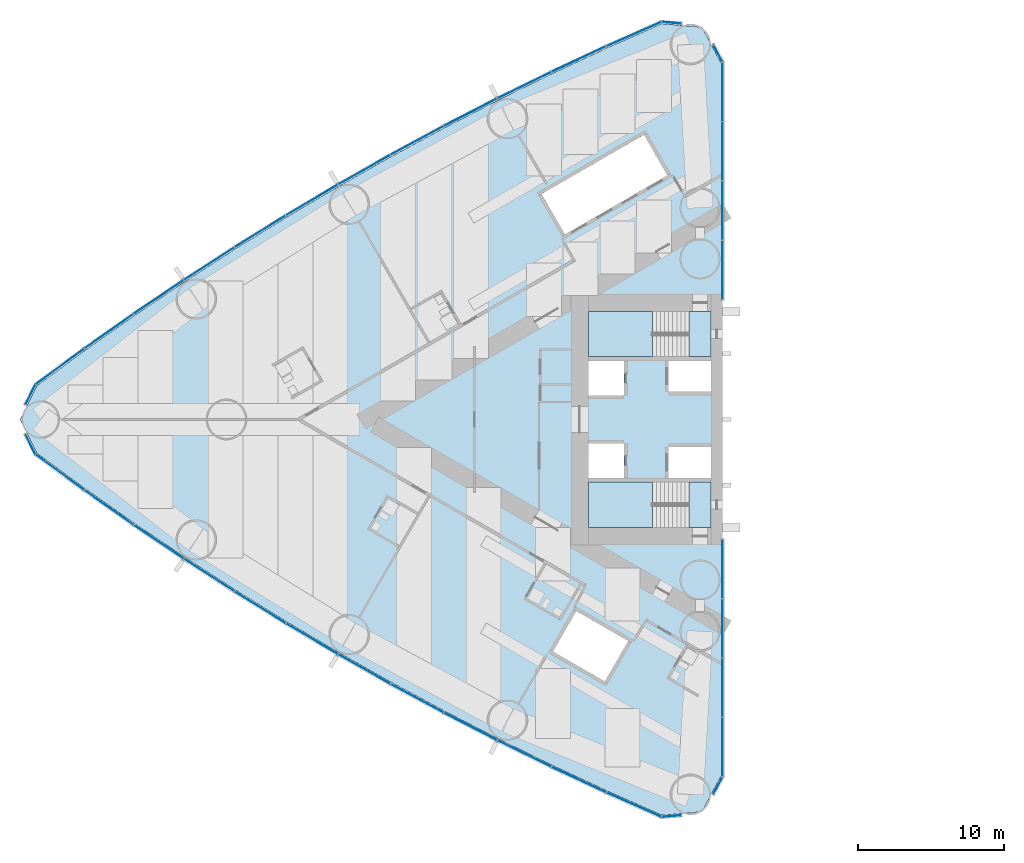
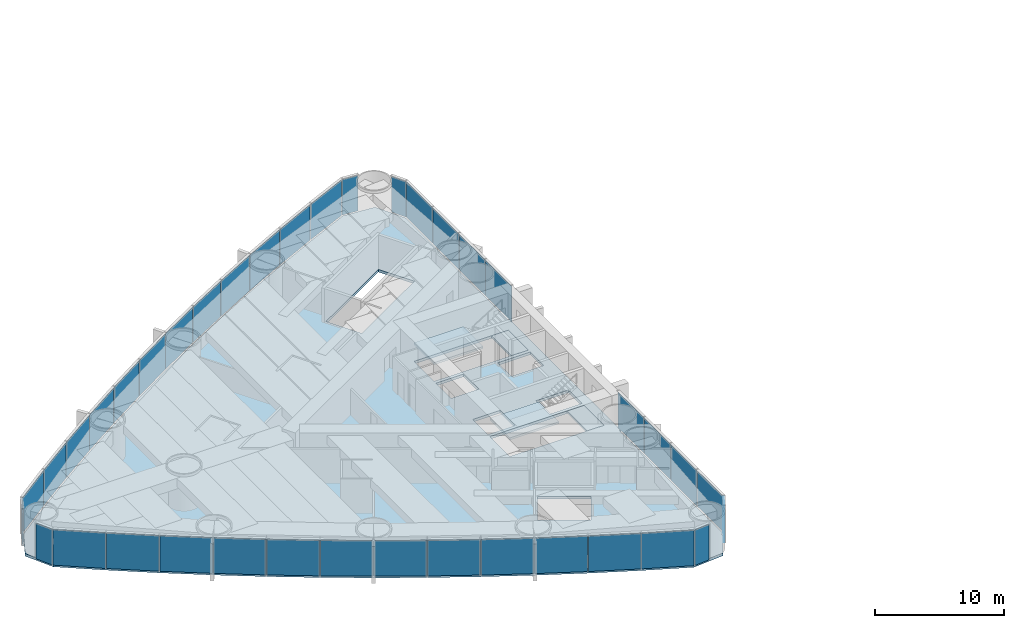
# One storey, part 9 of 19: 38 plates, 5 slabs, 6 elements without a shape of their own.
"""IFC4 building model written with IfcOpenShell, lengths in metres."""

from ifc_helpers import new_model, si_unit, direction, frame, origin, origin_2d, place, context, subcontext, project, spatial, polyline, rectangle, outline, extrude, material, layer, layer_set, type_object, element, aggregate, save


model = new_model("IFC4")

# Units and contexts
model_context = context("Model", 3, precision=1e-05, world=origin(), true_north=direction((0.0, 1.0)))
body_context = subcontext(model_context, "Body", "Model", "MODEL_VIEW")
ifc_project = project(units=[si_unit("LENGTHUNIT", "METRE"), si_unit("AREAUNIT", "SQUARE_METRE"), si_unit("VOLUMEUNIT", "CUBIC_METRE"), si_unit("PLANEANGLEUNIT", "RADIAN"), si_unit("MASSUNIT", "GRAM", prefix="KILO")], contexts=[model_context])

# Site, building, storey
site_placement = place(None, origin())
site = spatial("IfcSite", under=ifc_project, at=site_placement, CompositionType="ELEMENT")
building_placement = place(site_placement, origin())
building = spatial("IfcBuilding", under=site, at=building_placement, Name="Lancet Gate Hotel", CompositionType="ELEMENT")
storey_placement = place(building_placement, frame((0.0, 0.0, 60.0)))
storey = spatial("IfcBuildingStorey", under=building, at=storey_placement, Name="L15", CompositionType="ELEMENT", Elevation=60.0)

# Slab
ifc_material_1 = material(Name="Concrete C50/60", Category="concrete")
ifc_layer_1 = layer(ifc_material_1, 0.25)
ifc_layer_set_1 = layer_set([ifc_layer_1], Name="Floor slab 250")
slab_type_1 = type_object("IfcSlabType", Name="Floor slab 250", PredefinedType="FLOOR", material=ifc_layer_set_1)
slab_1_placement = place(storey_placement, frame((0.0, 0.0, -0.25)))
element("IfcSlab", 1, at=slab_1_placement, inside=storey, type_object=slab_type_1, Name="T1 L15 floor slab", PredefinedType="FLOOR", context=body_context, shape_type="SweptSolid", body=[
    extrude(outline(polyline([(-27.5, 8.60009765625), (-27.6201171875, 8.60009765625), (-27.6201171875, 24.4609375), (-28.926513671875, 26.8837890625), (-31.668212890625, 27.12353515625), (-35.424072265625, 25.458740234375), (-39.173583984375, 23.70849609375), (-42.887939453125, 21.884765625), (-46.56591796875, 19.98876953125), (-50.2060546875, 18.02099609375), (-53.806884765625, 15.982421875), (-57.366943359375, 13.87353515625), (-60.88525390625, 11.695068359375), (-64.360107421875, 9.448486328125), (-67.7900390625, 7.134033203125), (-71.17431640625, 4.752685546875), (-74.488525390625, 2.322021484375), (-75.65087890625, 0.0), (-74.488525390625, -2.322021484375), (-71.17431640625, -4.752685546875), (-67.7900390625, -7.134033203125), (-64.360107421875, -9.448486328125), (-60.88525390625, -11.695068359375), (-57.366943359375, -13.87353515625), (-53.806884765625, -15.982421875), (-50.2060546875, -18.02099609375), (-46.56591796875, -19.98876953125), (-42.887939453125, -21.884765625), (-39.173583984375, -23.70849609375), (-35.424072265625, -25.458740234375), (-31.668212890625, -27.12353515625), (-28.926513671875, -26.8837890625), (-27.6201171875, -24.4609375), (-27.6201171875, -8.60009765625), (-27.5, -8.60009765625), (-27.5, -8.199951171875), (-27.5, 8.199951171875), (-27.5, 8.60009765625)]), holes=[polyline([(-36.699951171875, 7.39990234375), (-36.699951171875, 4.300048828125), (-28.300048828125, 4.300048828125), (-28.300048828125, 7.39990234375), (-36.699951171875, 7.39990234375)]), polyline([(-28.300048828125, 4.0), (-31.199951171875, 4.0), (-31.199951171875, 1.89990234375), (-28.300048828125, 1.89990234375), (-28.300048828125, 4.0)]), polyline([(-34.25, 4.0), (-36.699951171875, 4.0), (-36.699951171875, 1.64990234375), (-34.25, 1.64990234375), (-34.25, 4.0)]), polyline([(-36.699951171875, -1.64990234375), (-36.699951171875, -4.0), (-34.25, -4.0), (-34.25, -1.64990234375), (-36.699951171875, -1.64990234375)]), polyline([(-28.300048828125, -1.89990234375), (-31.199951171875, -1.89990234375), (-31.199951171875, -4.0), (-28.300048828125, -4.0), (-28.300048828125, -1.89990234375)]), polyline([(-28.300048828125, -4.300048828125), (-36.699951171875, -4.300048828125), (-36.699951171875, -7.39990234375), (-28.300048828125, -7.39990234375), (-28.300048828125, -4.300048828125)]), polyline([(-31.2900390625, 16.73095703125), (-32.889892578125, 19.501953125), (-39.904052734375, 15.451904296875), (-38.303955078125, 12.680908203125), (-31.2900390625, 16.73095703125)]), polyline([(-33.97412109375, -15.180908203125), (-37.52490234375, -13.131103515625), (-39.125, -15.902099609375), (-35.573974609375, -17.951904296875), (-33.97412109375, -15.180908203125)])]), origin(), (0.0, 0.0, 1.0), 0.25),
])

# Stair, slabs
ifc_material_2 = material(Name="Exit stair 20 risers 1500")
stair_type = type_object("IfcStairType", Name="Exit stair 20 risers 1500", PredefinedType="HALF_TURN_STAIR", material=ifc_material_2)
stair_1_placement = place(storey_placement, origin())
stair_1 = element("IfcStair", 2, at=stair_1_placement, inside=storey, type_object=stair_type, Name="T1 stair 1 L15", PredefinedType="HALF_TURN_STAIR")
ifc_material_3 = material(Name="Concrete C40/50", Category="concrete")
ifc_layer_2 = layer(ifc_material_3, 0.199951171875)
ifc_layer_set_2 = layer_set([ifc_layer_2], Name="Stair landing 200")
slab_type_2 = type_object("IfcSlabType", Name="Stair landing 200", PredefinedType="LANDING", material=ifc_layer_set_2)
slab_2_placement = place(storey_placement, frame((0.0, 0.0, -0.199951171875)))
slab_2 = element("IfcSlab", 3, at=slab_2_placement, type_object=slab_type_2, Name="ST1 landing 1", PredefinedType="LANDING", context=body_context, shape_type="SweptSolid", body=[
    extrude(outline(polyline([(-28.300048828125, 7.39990234375), (-29.800048828125, 7.39990234375), (-29.800048828125, 4.300048828125), (-28.300048828125, 4.300048828125), (-28.300048828125, 7.39990234375)])), origin(), (0.0, 0.0, 1.0), 0.199951171875),
])
slab_3_placement = place(storey_placement, frame((0.0, 0.0, 1.550048828125)))
slab_3 = element("IfcSlab", 4, at=slab_3_placement, type_object=slab_type_2, Name="ST1 landing 2", PredefinedType="LANDING", context=body_context, shape_type="SweptSolid", body=[
    extrude(outline(polyline([(-32.320068359375, 7.39990234375), (-36.699951171875, 7.39990234375), (-36.699951171875, 4.300048828125), (-32.320068359375, 4.300048828125), (-32.320068359375, 7.39990234375)])), origin(), (0.0, 0.0, 1.0), 0.199951171875),
])
aggregate(stair_1, [slab_2, slab_3])

stair_2_placement = place(storey_placement, origin())
stair_2 = element("IfcStair", 5, at=stair_2_placement, inside=storey, type_object=stair_type, Name="T1 stair 2 L15", PredefinedType="HALF_TURN_STAIR")
slab_4_placement = place(storey_placement, frame((0.0, 0.0, -0.199951171875)))
slab_4 = element("IfcSlab", 6, at=slab_4_placement, type_object=slab_type_2, Name="ST2 landing 1", PredefinedType="LANDING", context=body_context, shape_type="SweptSolid", body=[
    extrude(outline(polyline([(-28.300048828125, -4.300048828125), (-29.800048828125, -4.300048828125), (-29.800048828125, -7.39990234375), (-28.300048828125, -7.39990234375), (-28.300048828125, -4.300048828125)])), origin(), (0.0, 0.0, 1.0), 0.199951171875),
])
slab_5_placement = place(storey_placement, frame((0.0, 0.0, 1.550048828125)))
slab_5 = element("IfcSlab", 7, at=slab_5_placement, type_object=slab_type_2, Name="ST2 landing 2", PredefinedType="LANDING", context=body_context, shape_type="SweptSolid", body=[
    extrude(outline(polyline([(-32.320068359375, -4.300048828125), (-36.699951171875, -4.300048828125), (-36.699951171875, -7.39990234375), (-32.320068359375, -7.39990234375), (-32.320068359375, -4.300048828125)])), origin(), (0.0, 0.0, 1.0), 0.199951171875),
])
aggregate(stair_2, [slab_4, slab_5])

# Curtain wall, plates
ifc_material_4 = material(Name="Aluminium curtain wall", Category="aluminium")
curtain_wall_type = type_object("IfcCurtainWallType", Name="Tower unitised curtain wall", PredefinedType="USERDEFINED", material=ifc_material_4)
curtain_wall_1_placement = place(storey_placement, origin())
curtain_wall_1 = element("IfcCurtainWall", 8, at=curtain_wall_1_placement, inside=storey, type_object=curtain_wall_type, Name="T1 L15 curtain wall 1", ObjectType="UNITISED CURTAIN WALL", PredefinedType="USERDEFINED")
ifc_material_5 = material(Name="Glass double glazed unit 8-16-6", Category="glass")
ifc_layer_3 = layer(ifc_material_5, 0.030029296875)
ifc_layer_set_3 = layer_set([ifc_layer_3], Name="Vision panel double glazed")
plate_type = type_object("IfcPlateType", Name="Vision panel double glazed", PredefinedType="CURTAIN_PANEL", material=ifc_layer_set_3)
plate_1_placement = place(storey_placement, frame((-27.5, 10.236328125, 0.0), z_axis=(0.0, 0.0, 1.0), x_axis=(0.0, 1.0, 0.0)))
plate_1 = element("IfcPlate", 9, at=plate_1_placement, type_object=plate_type, Name="T1 L15 curtain wall 1 panel 1", PredefinedType="CURTAIN_PANEL", context=body_context, shape_type="SweptSolid", body=[
    extrude(rectangle(XDim=4.0078125, YDim=0.030029296875, at=origin_2d()), origin(), (0.0, 0.0, 1.0), 3.35009765625),
])
plate_2_placement = place(storey_placement, frame((-27.5, 14.30908203125, 0.0), z_axis=(0.0, 0.0, 1.0), x_axis=(0.0, 1.0, 0.0)))
plate_2 = element("IfcPlate", 10, at=plate_2_placement, type_object=plate_type, Name="T1 L15 curtain wall 1 panel 2", PredefinedType="CURTAIN_PANEL", context=body_context, shape_type="SweptSolid", body=[
    extrude(rectangle(XDim=4.0078125, YDim=0.030029296875, at=origin_2d()), origin(), (0.0, 0.0, 1.0), 3.35009765625),
])
plate_3_placement = place(storey_placement, frame((-27.5, 18.382080078125, 0.0), z_axis=(0.0, 0.0, 1.0), x_axis=(0.0, 1.0, 0.0)))
plate_3 = element("IfcPlate", 11, at=plate_3_placement, type_object=plate_type, Name="T1 L15 curtain wall 1 panel 3", PredefinedType="CURTAIN_PANEL", context=body_context, shape_type="SweptSolid", body=[
    extrude(rectangle(XDim=4.0078125, YDim=0.030029296875, at=origin_2d()), origin(), (0.0, 0.0, 1.0), 3.35009765625),
])
plate_4_placement = place(storey_placement, frame((-27.5, 22.454833984375, 0.0), z_axis=(0.0, 0.0, 1.0), x_axis=(0.0, 1.0, 0.0)))
plate_4 = element("IfcPlate", 12, at=plate_4_placement, type_object=plate_type, Name="T1 L15 curtain wall 1 panel 4", PredefinedType="CURTAIN_PANEL", context=body_context, shape_type="SweptSolid", body=[
    extrude(rectangle(XDim=4.0078125, YDim=0.030029296875, at=origin_2d()), origin(), (0.0, 0.0, 1.0), 3.35009765625),
])
plate_5_placement = place(storey_placement, frame((-27.829345703125, 25.10205078125, 0.0), z_axis=(0.0, 0.0, 1.0), x_axis=(-0.474631040972, 0.880184852714, 0.0)))
plate_5 = element("IfcPlate", 13, at=plate_5_placement, type_object=plate_type, Name="T1 L15 curtain wall 1 panel 5", PredefinedType="CURTAIN_PANEL", context=body_context, shape_type="SweptSolid", body=[
    extrude(rectangle(XDim=1.322998046875, YDim=0.030029296875, at=origin_2d()), origin(), (0.0, 0.0, 1.0), 3.35009765625),
])
aggregate(curtain_wall_1, [plate_1, plate_2, plate_3, plate_4, plate_5])

curtain_wall_2_placement = place(storey_placement, origin())
curtain_wall_2 = element("IfcCurtainWall", 14, at=curtain_wall_2_placement, inside=storey, type_object=curtain_wall_type, Name="T1 L15 curtain wall 2", ObjectType="UNITISED CURTAIN WALL", PredefinedType="USERDEFINED")
plate_6_placement = place(storey_placement, frame((-30.99658203125, 27.185302734375, 0.0), z_axis=(0.0, 0.0, 1.0), x_axis=(-0.99620380374, 0.087051602022, 0.0)))
plate_6 = element("IfcPlate", 15, at=plate_6_placement, type_object=plate_type, Name="T1 L15 curtain wall 2 panel 1", PredefinedType="CURTAIN_PANEL", context=body_context, shape_type="SweptSolid", body=[
    extrude(rectangle(XDim=1.32421875, YDim=0.030029296875, at=origin_2d()), origin(), (0.0, 0.0, 1.0), 3.35009765625),
])
plate_7_placement = place(storey_placement, frame((-33.581298828125, 26.406982421875, 0.0), z_axis=(0.0, 0.0, 1.0), x_axis=(-0.914234183208, -0.405186201954, 0.0)))
plate_7 = element("IfcPlate", 16, at=plate_7_placement, type_object=plate_type, Name="T1 L15 curtain wall 2 panel 2", PredefinedType="CURTAIN_PANEL", context=body_context, shape_type="SweptSolid", body=[
    extrude(rectangle(XDim=4.0751953125, YDim=0.030029296875, at=origin_2d()), origin(), (0.0, 0.0, 1.0), 3.35009765625),
])
plate_8_placement = place(storey_placement, frame((-37.349609375, 24.6923828125, 0.0), z_axis=(0.0, 0.0, 1.0), x_axis=(-0.906117767284, -0.423025521467, 0.0)))
plate_8 = element("IfcPlate", 17, at=plate_8_placement, type_object=plate_type, Name="T1 L15 curtain wall 2 panel 3", PredefinedType="CURTAIN_PANEL", context=body_context, shape_type="SweptSolid", body=[
    extrude(rectangle(XDim=4.0751953125, YDim=0.030029296875, at=origin_2d()), origin(), (0.0, 0.0, 1.0), 3.35009765625),
])
plate_9_placement = place(storey_placement, frame((-41.083740234375, 22.904296875, 0.0), z_axis=(0.0, 0.0, 1.0), x_axis=(-0.897653295642, -0.440702349463, 0.0)))
plate_9 = element("IfcPlate", 18, at=plate_9_placement, type_object=plate_type, Name="T1 L15 curtain wall 2 panel 4", PredefinedType="CURTAIN_PANEL", context=body_context, shape_type="SweptSolid", body=[
    extrude(rectangle(XDim=4.0751953125, YDim=0.030029296875, at=origin_2d()), origin(), (0.0, 0.0, 1.0), 3.35009765625),
])
plate_10_placement = place(storey_placement, frame((-44.781982421875, 21.04345703125, 0.0), z_axis=(0.0, 0.0, 1.0), x_axis=(-0.888844019644, -0.458209895946, 0.0)))
plate_10 = element("IfcPlate", 19, at=plate_10_placement, type_object=plate_type, Name="T1 L15 curtain wall 2 panel 5", PredefinedType="CURTAIN_PANEL", context=body_context, shape_type="SweptSolid", body=[
    extrude(rectangle(XDim=4.0751953125, YDim=0.030029296875, at=origin_2d()), origin(), (0.0, 0.0, 1.0), 3.35009765625),
])
plate_11_placement = place(storey_placement, frame((-48.443115234375, 19.110595703125, 0.0), z_axis=(0.0, 0.0, 1.0), x_axis=(-0.87969332307, -0.475541435993, 0.0)))
plate_11 = element("IfcPlate", 20, at=plate_11_placement, type_object=plate_type, Name="T1 L15 curtain wall 2 panel 6", PredefinedType="CURTAIN_PANEL", context=body_context, shape_type="SweptSolid", body=[
    extrude(rectangle(XDim=4.0751953125, YDim=0.030029296875, at=origin_2d()), origin(), (0.0, 0.0, 1.0), 3.35009765625),
])
plate_12_placement = place(storey_placement, frame((-52.065673828125, 17.106201171875, 0.0), z_axis=(0.0, 0.0, 1.0), x_axis=(-0.870204720871, -0.492690312238, 0.0)))
plate_12 = element("IfcPlate", 21, at=plate_12_placement, type_object=plate_type, Name="T1 L15 curtain wall 2 panel 7", PredefinedType="CURTAIN_PANEL", context=body_context, shape_type="SweptSolid", body=[
    extrude(rectangle(XDim=4.0751953125, YDim=0.030029296875, at=origin_2d()), origin(), (0.0, 0.0, 1.0), 3.35009765625),
])
plate_13_placement = place(storey_placement, frame((-55.648193359375, 15.031005859375, 0.0), z_axis=(0.0, 0.0, 1.0), x_axis=(-0.860381857795, -0.509649937484, 0.0)))
plate_13 = element("IfcPlate", 22, at=plate_13_placement, type_object=plate_type, Name="T1 L15 curtain wall 2 panel 8", PredefinedType="CURTAIN_PANEL", context=body_context, shape_type="SweptSolid", body=[
    extrude(rectangle(XDim=4.0751953125, YDim=0.030029296875, at=origin_2d()), origin(), (0.0, 0.0, 1.0), 3.35009765625),
])
plate_14_placement = place(storey_placement, frame((-59.189208984375, 12.88623046875, 0.0), z_axis=(0.0, 0.0, 1.0), x_axis=(-0.850228506958, -0.52641379727, 0.0)))
plate_14 = element("IfcPlate", 23, at=plate_14_placement, type_object=plate_type, Name="T1 L15 curtain wall 2 panel 9", PredefinedType="CURTAIN_PANEL", context=body_context, shape_type="SweptSolid", body=[
    extrude(rectangle(XDim=4.0751953125, YDim=0.030029296875, at=origin_2d()), origin(), (0.0, 0.0, 1.0), 3.35009765625),
])
plate_15_placement = place(storey_placement, frame((-62.687744140625, 10.672607421875, 0.0), z_axis=(0.0, 0.0, 1.0), x_axis=(-0.839748568448, -0.54297545229, 0.0)))
plate_15 = element("IfcPlate", 24, at=plate_15_placement, type_object=plate_type, Name="T1 L15 curtain wall 2 panel 10", PredefinedType="CURTAIN_PANEL", context=body_context, shape_type="SweptSolid", body=[
    extrude(rectangle(XDim=4.0751953125, YDim=0.030029296875, at=origin_2d()), origin(), (0.0, 0.0, 1.0), 3.35009765625),
])
plate_16_placement = place(storey_placement, frame((-66.142333984375, 8.390625, 0.0), z_axis=(0.0, 0.0, 1.0), x_axis=(-0.828946067803, -0.559328540907, 0.0)))
plate_16 = element("IfcPlate", 25, at=plate_16_placement, type_object=plate_type, Name="T1 L15 curtain wall 2 panel 11", PredefinedType="CURTAIN_PANEL", context=body_context, shape_type="SweptSolid", body=[
    extrude(rectangle(XDim=4.0751953125, YDim=0.030029296875, at=origin_2d()), origin(), (0.0, 0.0, 1.0), 3.35009765625),
])
plate_17_placement = place(storey_placement, frame((-69.55126953125, 6.04150390625, 0.0), z_axis=(0.0, 0.0, 1.0), x_axis=(-0.817825154435, -0.575466781642, 0.0)))
plate_17 = element("IfcPlate", 26, at=plate_17_placement, type_object=plate_type, Name="T1 L15 curtain wall 2 panel 12", PredefinedType="CURTAIN_PANEL", context=body_context, shape_type="SweptSolid", body=[
    extrude(rectangle(XDim=4.0751953125, YDim=0.030029296875, at=origin_2d()), origin(), (0.0, 0.0, 1.0), 3.35009765625),
])
plate_18_placement = place(storey_placement, frame((-72.91357421875, 3.6259765625, 0.0), z_axis=(0.0, 0.0, 1.0), x_axis=(-0.80639010009, -0.591383975499, 0.0)))
plate_18 = element("IfcPlate", 27, at=plate_18_placement, type_object=plate_type, Name="T1 L15 curtain wall 2 panel 13", PredefinedType="CURTAIN_PANEL", context=body_context, shape_type="SweptSolid", body=[
    extrude(rectangle(XDim=4.0751953125, YDim=0.030029296875, at=origin_2d()), origin(), (0.0, 0.0, 1.0), 3.35009765625),
])
plate_19_placement = place(storey_placement, frame((-74.93505859375, 1.6982421875, 0.0), z_axis=(0.0, 0.0, 1.0), x_axis=(-0.447628324726, -0.89421970617, 0.0)))
plate_19 = element("IfcPlate", 28, at=plate_19_placement, type_object=plate_type, Name="T1 L15 curtain wall 2 panel 14", PredefinedType="CURTAIN_PANEL", context=body_context, shape_type="SweptSolid", body=[
    extrude(rectangle(XDim=1.50830078125, YDim=0.030029296875, at=origin_2d()), origin(), (0.0, 0.0, 1.0), 3.35009765625),
])
aggregate(curtain_wall_2, [plate_6, plate_7, plate_8, plate_9, plate_10, plate_11, plate_12, plate_13, plate_14, plate_15, plate_16, plate_17, plate_18, plate_19])

curtain_wall_3_placement = place(storey_placement, origin())
curtain_wall_3 = element("IfcCurtainWall", 29, at=curtain_wall_3_placement, inside=storey, type_object=curtain_wall_type, Name="T1 L15 curtain wall 3", ObjectType="UNITISED CURTAIN WALL", PredefinedType="USERDEFINED")
plate_20_placement = place(storey_placement, frame((-74.93505859375, -1.6982421875, 0.0), z_axis=(0.0, 0.0, 1.0), x_axis=(0.447628324726, -0.89421970617, 0.0)))
plate_20 = element("IfcPlate", 30, at=plate_20_placement, type_object=plate_type, Name="T1 L15 curtain wall 3 panel 1", PredefinedType="CURTAIN_PANEL", context=body_context, shape_type="SweptSolid", body=[
    extrude(rectangle(XDim=1.50830078125, YDim=0.030029296875, at=origin_2d()), origin(), (0.0, 0.0, 1.0), 3.35009765625),
])
plate_21_placement = place(storey_placement, frame((-72.91357421875, -3.6259765625, 0.0), z_axis=(0.0, 0.0, 1.0), x_axis=(0.80639010009, -0.591383975499, 0.0)))
plate_21 = element("IfcPlate", 31, at=plate_21_placement, type_object=plate_type, Name="T1 L15 curtain wall 3 panel 2", PredefinedType="CURTAIN_PANEL", context=body_context, shape_type="SweptSolid", body=[
    extrude(rectangle(XDim=4.0751953125, YDim=0.030029296875, at=origin_2d()), origin(), (0.0, 0.0, 1.0), 3.35009765625),
])
plate_22_placement = place(storey_placement, frame((-69.55126953125, -6.04150390625, 0.0), z_axis=(0.0, 0.0, 1.0), x_axis=(0.817825154435, -0.575466781642, 0.0)))
plate_22 = element("IfcPlate", 32, at=plate_22_placement, type_object=plate_type, Name="T1 L15 curtain wall 3 panel 3", PredefinedType="CURTAIN_PANEL", context=body_context, shape_type="SweptSolid", body=[
    extrude(rectangle(XDim=4.0751953125, YDim=0.030029296875, at=origin_2d()), origin(), (0.0, 0.0, 1.0), 3.35009765625),
])
plate_23_placement = place(storey_placement, frame((-66.142333984375, -8.390625, 0.0), z_axis=(0.0, 0.0, 1.0), x_axis=(0.828946067803, -0.559328540907, 0.0)))
plate_23 = element("IfcPlate", 33, at=plate_23_placement, type_object=plate_type, Name="T1 L15 curtain wall 3 panel 4", PredefinedType="CURTAIN_PANEL", context=body_context, shape_type="SweptSolid", body=[
    extrude(rectangle(XDim=4.0751953125, YDim=0.030029296875, at=origin_2d()), origin(), (0.0, 0.0, 1.0), 3.35009765625),
])
plate_24_placement = place(storey_placement, frame((-62.687744140625, -10.672607421875, 0.0), z_axis=(0.0, 0.0, 1.0), x_axis=(0.839748568448, -0.54297545229, 0.0)))
plate_24 = element("IfcPlate", 34, at=plate_24_placement, type_object=plate_type, Name="T1 L15 curtain wall 3 panel 5", PredefinedType="CURTAIN_PANEL", context=body_context, shape_type="SweptSolid", body=[
    extrude(rectangle(XDim=4.0751953125, YDim=0.030029296875, at=origin_2d()), origin(), (0.0, 0.0, 1.0), 3.35009765625),
])
plate_25_placement = place(storey_placement, frame((-59.189208984375, -12.88623046875, 0.0), z_axis=(0.0, 0.0, 1.0), x_axis=(0.850228506958, -0.52641379727, 0.0)))
plate_25 = element("IfcPlate", 35, at=plate_25_placement, type_object=plate_type, Name="T1 L15 curtain wall 3 panel 6", PredefinedType="CURTAIN_PANEL", context=body_context, shape_type="SweptSolid", body=[
    extrude(rectangle(XDim=4.0751953125, YDim=0.030029296875, at=origin_2d()), origin(), (0.0, 0.0, 1.0), 3.35009765625),
])
plate_26_placement = place(storey_placement, frame((-55.648193359375, -15.031005859375, 0.0), z_axis=(0.0, 0.0, 1.0), x_axis=(0.860381857795, -0.509649937484, 0.0)))
plate_26 = element("IfcPlate", 36, at=plate_26_placement, type_object=plate_type, Name="T1 L15 curtain wall 3 panel 7", PredefinedType="CURTAIN_PANEL", context=body_context, shape_type="SweptSolid", body=[
    extrude(rectangle(XDim=4.0751953125, YDim=0.030029296875, at=origin_2d()), origin(), (0.0, 0.0, 1.0), 3.35009765625),
])
plate_27_placement = place(storey_placement, frame((-52.065673828125, -17.106201171875, 0.0), z_axis=(0.0, 0.0, 1.0), x_axis=(0.870204720871, -0.492690312238, 0.0)))
plate_27 = element("IfcPlate", 37, at=plate_27_placement, type_object=plate_type, Name="T1 L15 curtain wall 3 panel 8", PredefinedType="CURTAIN_PANEL", context=body_context, shape_type="SweptSolid", body=[
    extrude(rectangle(XDim=4.0751953125, YDim=0.030029296875, at=origin_2d()), origin(), (0.0, 0.0, 1.0), 3.35009765625),
])
plate_28_placement = place(storey_placement, frame((-48.443115234375, -19.110595703125, 0.0), z_axis=(0.0, 0.0, 1.0), x_axis=(0.87969332307, -0.475541435993, 0.0)))
plate_28 = element("IfcPlate", 38, at=plate_28_placement, type_object=plate_type, Name="T1 L15 curtain wall 3 panel 9", PredefinedType="CURTAIN_PANEL", context=body_context, shape_type="SweptSolid", body=[
    extrude(rectangle(XDim=4.0751953125, YDim=0.030029296875, at=origin_2d()), origin(), (0.0, 0.0, 1.0), 3.35009765625),
])
plate_29_placement = place(storey_placement, frame((-44.781982421875, -21.04345703125, 0.0), z_axis=(0.0, 0.0, 1.0), x_axis=(0.888844019644, -0.458209895946, 0.0)))
plate_29 = element("IfcPlate", 39, at=plate_29_placement, type_object=plate_type, Name="T1 L15 curtain wall 3 panel 10", PredefinedType="CURTAIN_PANEL", context=body_context, shape_type="SweptSolid", body=[
    extrude(rectangle(XDim=4.0751953125, YDim=0.030029296875, at=origin_2d()), origin(), (0.0, 0.0, 1.0), 3.35009765625),
])
plate_30_placement = place(storey_placement, frame((-41.083740234375, -22.904296875, 0.0), z_axis=(0.0, 0.0, 1.0), x_axis=(0.897653295642, -0.440702349463, 0.0)))
plate_30 = element("IfcPlate", 40, at=plate_30_placement, type_object=plate_type, Name="T1 L15 curtain wall 3 panel 11", PredefinedType="CURTAIN_PANEL", context=body_context, shape_type="SweptSolid", body=[
    extrude(rectangle(XDim=4.0751953125, YDim=0.030029296875, at=origin_2d()), origin(), (0.0, 0.0, 1.0), 3.35009765625),
])
plate_31_placement = place(storey_placement, frame((-37.349609375, -24.6923828125, 0.0), z_axis=(0.0, 0.0, 1.0), x_axis=(0.906117767284, -0.423025521467, 0.0)))
plate_31 = element("IfcPlate", 41, at=plate_31_placement, type_object=plate_type, Name="T1 L15 curtain wall 3 panel 12", PredefinedType="CURTAIN_PANEL", context=body_context, shape_type="SweptSolid", body=[
    extrude(rectangle(XDim=4.0751953125, YDim=0.030029296875, at=origin_2d()), origin(), (0.0, 0.0, 1.0), 3.35009765625),
])
plate_32_placement = place(storey_placement, frame((-33.581298828125, -26.406982421875, 0.0), z_axis=(0.0, 0.0, 1.0), x_axis=(0.914234183208, -0.405186201954, 0.0)))
plate_32 = element("IfcPlate", 42, at=plate_32_placement, type_object=plate_type, Name="T1 L15 curtain wall 3 panel 13", PredefinedType="CURTAIN_PANEL", context=body_context, shape_type="SweptSolid", body=[
    extrude(rectangle(XDim=4.0751953125, YDim=0.030029296875, at=origin_2d()), origin(), (0.0, 0.0, 1.0), 3.35009765625),
])
plate_33_placement = place(storey_placement, frame((-30.99658203125, -27.185302734375, 0.0), z_axis=(0.0, 0.0, 1.0), x_axis=(0.99620380374, 0.087051602022, 0.0)))
plate_33 = element("IfcPlate", 43, at=plate_33_placement, type_object=plate_type, Name="T1 L15 curtain wall 3 panel 14", PredefinedType="CURTAIN_PANEL", context=body_context, shape_type="SweptSolid", body=[
    extrude(rectangle(XDim=1.32421875, YDim=0.030029296875, at=origin_2d()), origin(), (0.0, 0.0, 1.0), 3.35009765625),
])
aggregate(curtain_wall_3, [plate_20, plate_21, plate_22, plate_23, plate_24, plate_25, plate_26, plate_27, plate_28, plate_29, plate_30, plate_31, plate_32, plate_33])

curtain_wall_4_placement = place(storey_placement, origin())
curtain_wall_4 = element("IfcCurtainWall", 44, at=curtain_wall_4_placement, inside=storey, type_object=curtain_wall_type, Name="T1 L15 curtain wall 4", ObjectType="UNITISED CURTAIN WALL", PredefinedType="USERDEFINED")
plate_34_placement = place(storey_placement, frame((-27.829345703125, -25.10205078125, 0.0), z_axis=(0.0, 0.0, 1.0), x_axis=(0.474631040972, 0.880184852714, 0.0)))
plate_34 = element("IfcPlate", 45, at=plate_34_placement, type_object=plate_type, Name="T1 L15 curtain wall 4 panel 1", PredefinedType="CURTAIN_PANEL", context=body_context, shape_type="SweptSolid", body=[
    extrude(rectangle(XDim=1.322998046875, YDim=0.030029296875, at=origin_2d()), origin(), (0.0, 0.0, 1.0), 3.35009765625),
])
plate_35_placement = place(storey_placement, frame((-27.5, -22.454833984375, 0.0), z_axis=(0.0, 0.0, 1.0), x_axis=(0.0, 1.0, 0.0)))
plate_35 = element("IfcPlate", 46, at=plate_35_placement, type_object=plate_type, Name="T1 L15 curtain wall 4 panel 2", PredefinedType="CURTAIN_PANEL", context=body_context, shape_type="SweptSolid", body=[
    extrude(rectangle(XDim=4.0078125, YDim=0.030029296875, at=origin_2d()), origin(), (0.0, 0.0, 1.0), 3.35009765625),
])
plate_36_placement = place(storey_placement, frame((-27.5, -18.382080078125, 0.0), z_axis=(0.0, 0.0, 1.0), x_axis=(0.0, 1.0, 0.0)))
plate_36 = element("IfcPlate", 47, at=plate_36_placement, type_object=plate_type, Name="T1 L15 curtain wall 4 panel 3", PredefinedType="CURTAIN_PANEL", context=body_context, shape_type="SweptSolid", body=[
    extrude(rectangle(XDim=4.0078125, YDim=0.030029296875, at=origin_2d()), origin(), (0.0, 0.0, 1.0), 3.35009765625),
])
plate_37_placement = place(storey_placement, frame((-27.5, -14.30908203125, 0.0), z_axis=(0.0, 0.0, 1.0), x_axis=(0.0, 1.0, 0.0)))
plate_37 = element("IfcPlate", 48, at=plate_37_placement, type_object=plate_type, Name="T1 L15 curtain wall 4 panel 4", PredefinedType="CURTAIN_PANEL", context=body_context, shape_type="SweptSolid", body=[
    extrude(rectangle(XDim=4.0078125, YDim=0.030029296875, at=origin_2d()), origin(), (0.0, 0.0, 1.0), 3.35009765625),
])
plate_38_placement = place(storey_placement, frame((-27.5, -10.236328125, 0.0), z_axis=(0.0, 0.0, 1.0), x_axis=(0.0, 1.0, 0.0)))
plate_38 = element("IfcPlate", 49, at=plate_38_placement, type_object=plate_type, Name="T1 L15 curtain wall 4 panel 5", PredefinedType="CURTAIN_PANEL", context=body_context, shape_type="SweptSolid", body=[
    extrude(rectangle(XDim=4.0078125, YDim=0.030029296875, at=origin_2d()), origin(), (0.0, 0.0, 1.0), 3.35009765625),
])
aggregate(curtain_wall_4, [plate_34, plate_35, plate_36, plate_37, plate_38])

save(model, "model.ifc")
